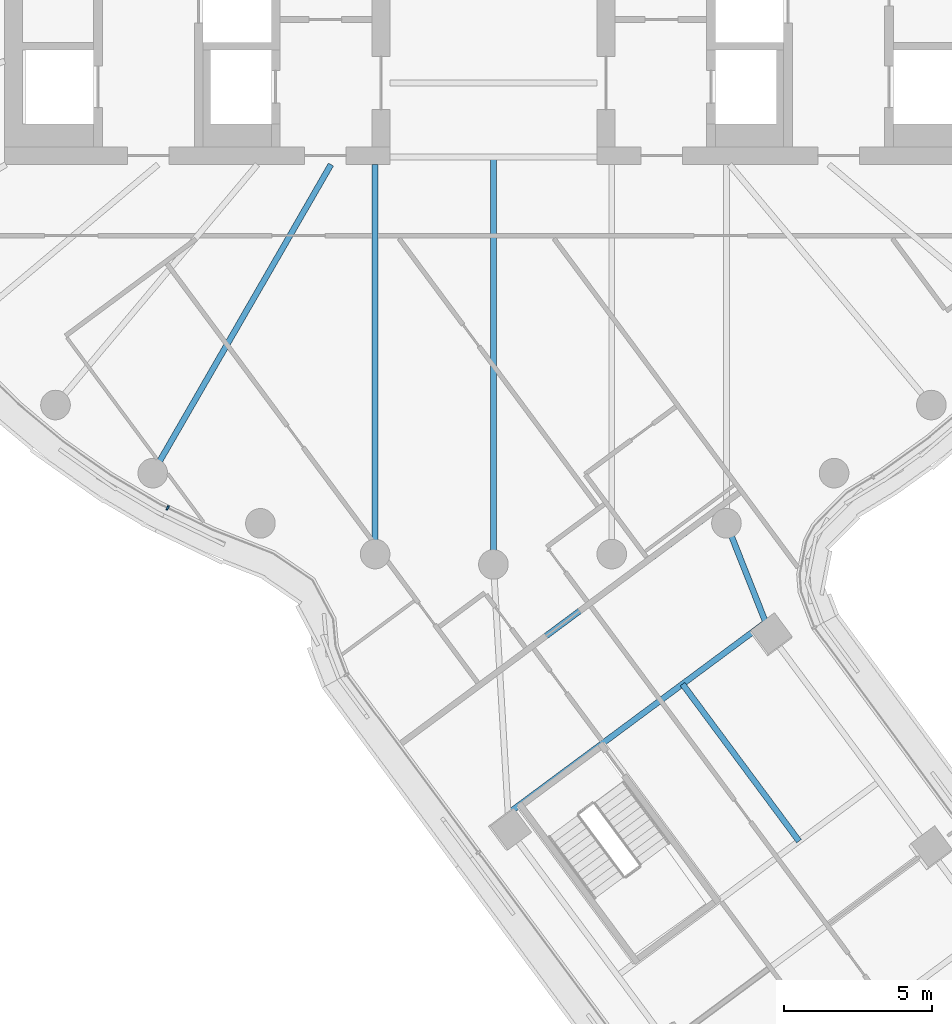
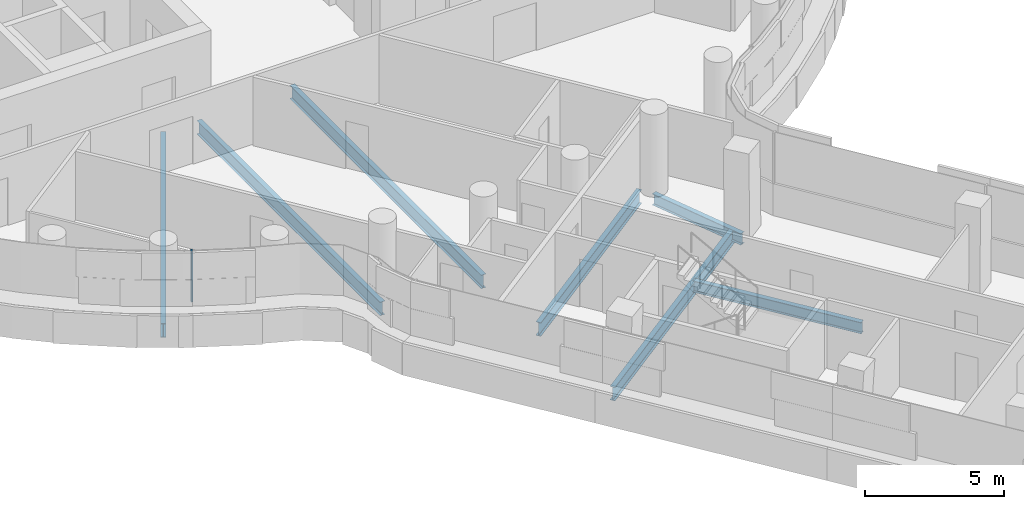
# One storey, part 6 of 32: 7 beams, 1 member, 1 element without a shape of its own.
"""IFC4 building model written with IfcOpenShell, lengths in metres."""

from ifc_helpers import new_model, si_unit, direction, frame, origin, origin_2d, place, context, subcontext, project, spatial, rectangle, i_section, extrude, material, layer, layer_set, material_profile, profile_set, type_object, element, aggregate, save


model = new_model("IFC4")

# Units and contexts
model_context = context("Model", 3, precision=1e-05, world=origin(), true_north=direction((0.0, 1.0)))
body_context = subcontext(model_context, "Body", "Model", "MODEL_VIEW")
ifc_project = project(units=[si_unit("LENGTHUNIT", "METRE"), si_unit("AREAUNIT", "SQUARE_METRE"), si_unit("VOLUMEUNIT", "CUBIC_METRE"), si_unit("PLANEANGLEUNIT", "RADIAN"), si_unit("MASSUNIT", "GRAM", prefix="KILO")], contexts=[model_context])

# Site, building, storey
site_placement = place(None, origin())
site = spatial("IfcSite", under=ifc_project, at=site_placement, CompositionType="ELEMENT")
building_placement = place(site_placement, origin())
building = spatial("IfcBuilding", under=site, at=building_placement, Name="Tamarind Cross Interchange Tower", CompositionType="ELEMENT")
storey_placement = place(building_placement, frame((0.0, 0.0, 166.75)))
storey = spatial("IfcBuildingStorey", under=building, at=storey_placement, Name="L41", CompositionType="ELEMENT", Elevation=166.75)

# Beams
ifc_material_1 = material(Name="Steel Q355B", Category="steel")
ifc_material_profile_1 = material_profile(ifc_material_1, i_section(OverallWidth=0.198974609375, OverallDepth=0.49609375, WebThickness=0.009033203125, FlangeThickness=0.013916015625, FilletRadius=0.012939453125, at=origin_2d()), Name="HN 496x199x9x14")
ifc_profile_set_1 = profile_set([ifc_material_profile_1], Name="Steel Q355B")
beam_type_1 = type_object("IfcBeamType", Name="Composite beam HN 496x199x9x14 Q355B", PredefinedType="BEAM", material=ifc_profile_set_1)
beam_1_placement = place(storey_placement, frame((9.3623046875, -25.389404296875, -0.387939453125), z_axis=(-0.368269287783, 0.929719168177, 0.0), x_axis=(-0.929719168177, -0.368269287783, 0.0)))
element("IfcBeam", 1, at=beam_1_placement, inside=storey, type_object=beam_type_1, Name="Beam S-linkep", PredefinedType="BEAM", context=body_context, shape_type="SweptSolid", body=[
    extrude(i_section(OverallWidth=0.198974609375, OverallDepth=0.49609375, WebThickness=0.009033203125, FlangeThickness=0.013916015625, FilletRadius=0.012939453125, at=origin_2d()), origin(), (0.0, 0.0, 1.0), 4.061767578125),
])
beam_2_placement = place(storey_placement, frame((6.383544921875, -27.038818359375, -0.387939453125), z_axis=(0.595777656859, -0.803149415481, 0.0), x_axis=(0.803149415481, 0.595777656859, 0.0)))
element("IfcBeam", 2, at=beam_2_placement, inside=storey, type_object=beam_type_1, Name="Beam S-stripp", PredefinedType="BEAM", context=body_context, shape_type="SweptSolid", body=[
    extrude(i_section(OverallWidth=0.198974609375, OverallDepth=0.49609375, WebThickness=0.009033203125, FlangeThickness=0.013916015625, FilletRadius=0.012939453125, at=origin_2d()), origin(), (0.0, 0.0, 1.0), 6.60009765625),
])
ifc_material_profile_2 = material_profile(ifc_material_1, i_section(OverallWidth=0.198974609375, OverallDepth=0.595947265625, WebThickness=0.010009765625, FlangeThickness=0.014892578125, FilletRadius=0.012939453125, at=origin_2d()), Name="HN 596x199x10x15")
ifc_profile_set_2 = profile_set([ifc_material_profile_2], Name="Steel Q355B")
beam_type_2 = type_object("IfcBeamType", Name="Composite beam HN 596x199x10x15 Q355B", PredefinedType="BEAM", material=ifc_profile_set_2)
beam_3_placement = place(storey_placement, frame((-11.5, -19.918701171875, -0.43798828125), z_axis=(0.499993565836, 0.866029118519, 0.0), x_axis=(-0.866029118519, 0.499993565836, 0.0)))
element("IfcBeam", 3, at=beam_3_placement, inside=storey, type_object=beam_type_2, Name="Beam HH24", PredefinedType="BEAM", context=body_context, shape_type="SweptSolid", body=[
    extrude(i_section(OverallWidth=0.198974609375, OverallDepth=0.595947265625, WebThickness=0.010009765625, FlangeThickness=0.014892578125, FilletRadius=0.012939453125, at=origin_2d()), origin(), (0.0, 0.0, 1.0), 12.030517578125),
])
beam_4_placement = place(storey_placement, frame((-3.993896484375, -22.650634765625, -0.43798828125), z_axis=(0.0, 1.0, 0.0), x_axis=(-1.0, 0.0, 0.0)))
element("IfcBeam", 4, at=beam_4_placement, inside=storey, type_object=beam_type_2, Name="Beam HH26", PredefinedType="BEAM", context=body_context, shape_type="SweptSolid", body=[
    extrude(i_section(OverallWidth=0.198974609375, OverallDepth=0.595947265625, WebThickness=0.010009765625, FlangeThickness=0.014892578125, FilletRadius=0.012939453125, at=origin_2d()), origin(), (0.0, 0.0, 1.0), 13.150634765625),
])
beam_5_placement = place(storey_placement, frame((0.0, -23.0, -0.43798828125), z_axis=(0.0, 1.0, 0.0), x_axis=(-1.0, 0.0, 0.0)))
element("IfcBeam", 5, at=beam_5_placement, inside=storey, type_object=beam_type_2, Name="Beam HH27", PredefinedType="BEAM", context=body_context, shape_type="SweptSolid", body=[
    extrude(i_section(OverallWidth=0.198974609375, OverallDepth=0.595947265625, WebThickness=0.010009765625, FlangeThickness=0.014892578125, FilletRadius=0.012939453125, at=origin_2d()), origin(), (0.0, 0.0, 1.0), 13.75),
])
ifc_material_profile_3 = material_profile(ifc_material_1, i_section(OverallWidth=0.199951171875, OverallDepth=0.60009765625, WebThickness=0.010986328125, FlangeThickness=0.01708984375, FilletRadius=0.012939453125, at=origin_2d()), Name="HN 600x200x11x17")
ifc_profile_set_3 = profile_set([ifc_material_profile_3], Name="Steel Q355B")
beam_type_3 = type_object("IfcBeamType", Name="Composite beam HN 600x200x11x17 Q355B", PredefinedType="BEAM", material=ifc_profile_set_3)
beam_6_placement = place(storey_placement, frame((0.495849609375, -31.406005859375, -0.43994140625), z_axis=(0.80315511508, 0.59576997333, 0.0), x_axis=(-0.59576997333, 0.80315511508, 0.0)))
element("IfcBeam", 6, at=beam_6_placement, inside=storey, type_object=beam_type_3, Name="Beam S-x298", PredefinedType="BEAM", context=body_context, shape_type="SweptSolid", body=[
    extrude(i_section(OverallWidth=0.199951171875, OverallDepth=0.60009765625, WebThickness=0.010986328125, FlangeThickness=0.01708984375, FilletRadius=0.012939453125, at=origin_2d()), origin(), (0.0, 0.0, 1.0), 10.825927734375),
])
beam_7_placement = place(storey_placement, frame((0.2109375, -26.574951171875, -0.43994140625), z_axis=(0.803142314623, 0.595787229187, 0.0), x_axis=(-0.595787229187, 0.803142314623, 0.0)))
element("IfcBeam", 7, at=beam_7_placement, inside=storey, type_object=beam_type_3, Name="Beam S-x258", PredefinedType="BEAM", context=body_context, shape_type="SweptSolid", body=[
    extrude(i_section(OverallWidth=0.199951171875, OverallDepth=0.60009765625, WebThickness=0.010986328125, FlangeThickness=0.01708984375, FilletRadius=0.012939453125, at=origin_2d()), origin(), (0.0, 0.0, 1.0), 9.10498046875),
])

# Curtain wall, member
ifc_material_2 = material(Name="Aluminium 6063-T6", Category="aluminium")
ifc_layer = layer(ifc_material_2, 0.159912109375)
ifc_layer_set = layer_set([ifc_layer], Name="Aluminium 6063-T6")
curtain_wall_type = type_object("IfcCurtainWallType", Name="Office curtain wall, 9.0 m bays", PredefinedType="NOTDEFINED", material=ifc_layer_set)
curtain_wall_placement = place(storey_placement, origin())
curtain_wall = element("IfcCurtainWall", 8, at=curtain_wall_placement, inside=storey, type_object=curtain_wall_type, Name="CWS-L41-10", PredefinedType="NOTDEFINED")
ifc_material_profile_4 = material_profile(ifc_material_2, rectangle(XDim=0.06005859375, YDim=0.159912109375, at=origin_2d()), Name="Mullion CW1")
ifc_profile_set_4 = profile_set([ifc_material_profile_4], Name="Aluminium 6063-T6")
member_type = type_object("IfcMemberType", Name="Mullion CW1", PredefinedType="MULLION", material=ifc_profile_set_4)
member_placement = place(storey_placement, frame((-10.998046875, -21.091064453125, 1.39990234375), z_axis=(0.0, 0.0, 1.0), x_axis=(0.900272776334, -0.435326231914, 0.0)))
member = element("IfcMember", 9, at=member_placement, type_object=member_type, Name="CWM-L41-10-02", PredefinedType="MULLION", context=body_context, shape_type="SweptSolid", body=[
    extrude(rectangle(XDim=0.06005859375, YDim=0.159912109375, at=origin_2d()), origin(), (0.0, 0.0, 1.0), 2.210205078125),
])
aggregate(curtain_wall, [member])

save(model, "model.ifc")
